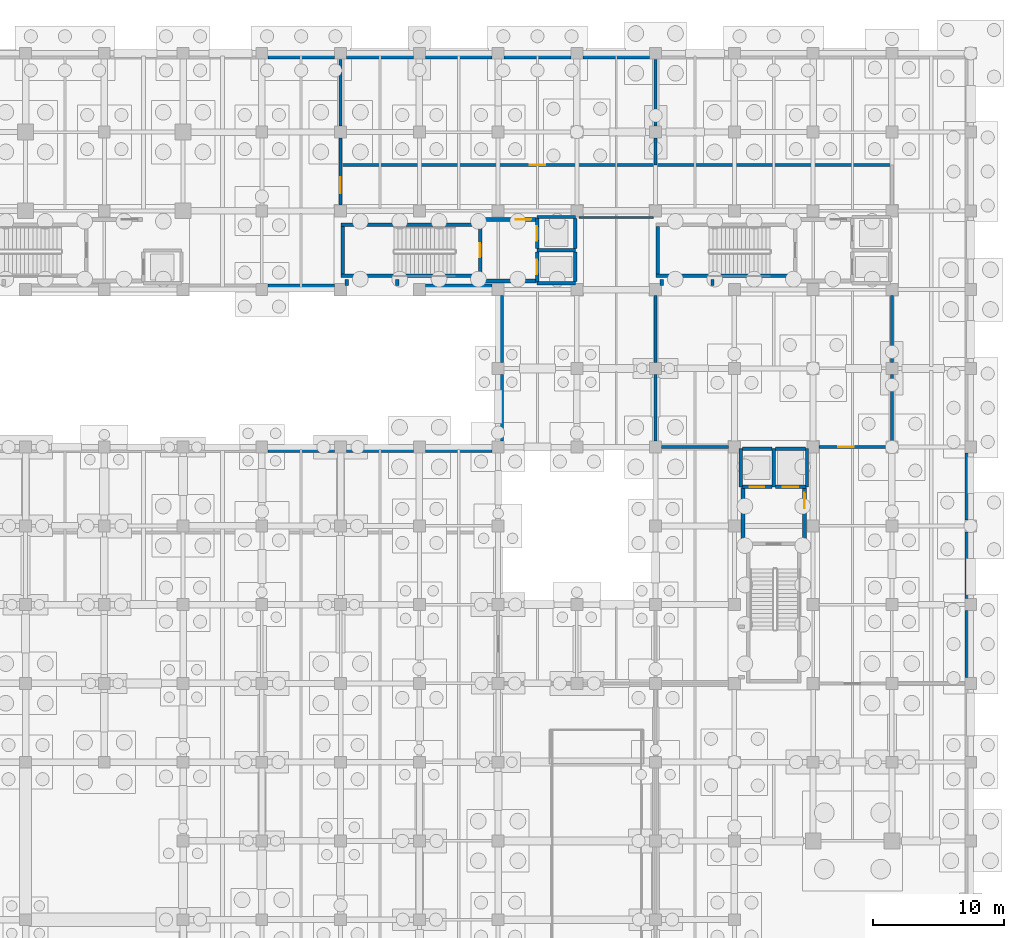
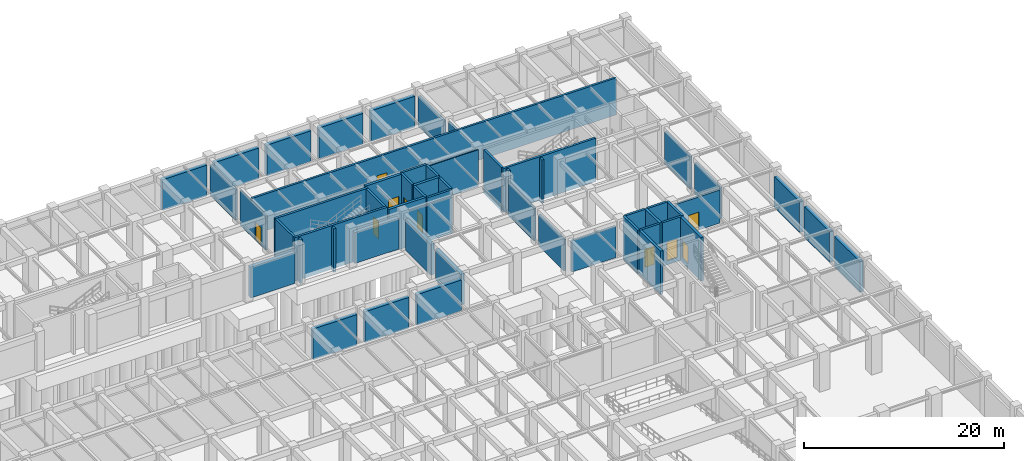
# One storey, part 44 of 54: 55 walls, 10 doors, 10 openings.
"""IFC4 building model written with IfcOpenShell, lengths in metres."""

from ifc_helpers import new_model, si_unit, direction, frame, frame_2d, origin, place, context, subcontext, project, spatial, rectangle, extrude, material, layer, layer_set, type_object, element, fill, save


model = new_model("IFC4")

# Units and contexts
model_context = context("Model", 3, precision=1e-05, world=origin(), true_north=direction((0.0, 1.0)))
body_context = subcontext(model_context, "Body", "Model", "MODEL_VIEW")
ifc_project = project(units=[si_unit("LENGTHUNIT", "METRE"), si_unit("AREAUNIT", "SQUARE_METRE"), si_unit("VOLUMEUNIT", "CUBIC_METRE"), si_unit("PLANEANGLEUNIT", "RADIAN"), si_unit("MASSUNIT", "GRAM", prefix="KILO"), si_unit("THERMODYNAMICTEMPERATUREUNIT", "KELVIN"), si_unit("POWERUNIT", "WATT")], contexts=[model_context])

# Site, building, storey
site_placement = place(None, origin())
site = spatial("IfcSite", under=ifc_project, at=site_placement, CompositionType="ELEMENT")
building_placement = place(site_placement, origin())
building = spatial("IfcBuilding", under=site, at=building_placement, Name="Phaisarnlok Congress Hotel", CompositionType="ELEMENT")
storey_placement = place(building_placement, frame((0.0, 0.0, -4.800048828125)))
storey = spatial("IfcBuildingStorey", under=building, at=storey_placement, Name="B01", CompositionType="ELEMENT", Elevation=-4.800048828125)

# Walls
ifc_material_1 = material(Name="Concrete C40/50", Category="concrete")
ifc_layer_1 = layer(ifc_material_1, 0.419921875, Name="Concrete C40/50")
ifc_layer_set_1 = layer_set([ifc_layer_1], Name="Concrete C40/50")
wall_type_1 = type_object("IfcWallType", Name="WL-EXT-420", PredefinedType="SOLIDWALL", material=ifc_layer_set_1)
for number, where, z_axis, x_axis, name in (
    (1, (179.7900390625, 78.455078125, 0.0), (0.0, 0.0, 1.0), (0.0, 1.0, 0.0), "Exterior wall EW-08 (B01)"),
    (2, (179.7900390625, 84.455078125, 0.0), (0.0, 0.0, 1.0), (0.0, 1.0, 0.0), "Exterior wall EW-08 (B01)"),
    (3, (179.7900390625, 90.455078125, 0.0), (0.0, 0.0, 1.0), (0.0, 1.0, 0.0), "Exterior wall EW-08 (B01)"),
    (4, (155.544921875, 125.7900390625, 0.0), (0.0, 0.0, 1.0), (-1.0, 0.0, 0.0), "Exterior wall EW-08 (B01)"),
    (5, (149.544921875, 125.7900390625, 0.0), (0.0, 0.0, 1.0), (-1.0, 0.0, 0.0), "Exterior wall EW-08 (B01)"),
    (6, (143.544921875, 125.7900390625, 0.0), (0.0, 0.0, 1.0), (-1.0, 0.0, 0.0), "Exterior wall EW-08 (B01)"),
    (7, (137.544921875, 125.7900390625, 0.0), (0.0, 0.0, 1.0), (-1.0, 0.0, 0.0), "Exterior wall EW-08 (B01)"),
    (8, (131.544921875, 125.7900390625, 0.0), (0.0, 0.0, 1.0), (-1.0, 0.0, 0.0), "Exterior wall EW-08 (B01)"),
    (9, (126.455078125, 108.2099609375, 0.0), (0.0, 0.0, 1.0), (1.0, 0.0, 0.0), "Exterior wall EW-08 (B01)"),
    (10, (138.455078125, 108.2099609375, 0.0), (0.0, 0.0, 1.0), (1.0, 0.0, 0.0), "Exterior wall EW-08 (B01)"),
    (11, (144.2099609375, 107.544921875, 0.0), (0.0, 0.0, 1.0), (0.0, -1.0, 0.0), "Exterior wall EW-08 (B01)"),
    (12, (144.2099609375, 101.544921875, 0.0), (0.0, 0.0, 1.0), (0.0, -1.0, 0.0), "Exterior wall EW-08 (B01)"),
    (13, (143.544921875, 95.7900390625, 0.0), (0.0, 0.0, 1.0), (-1.0, 0.0, 0.0), "Exterior wall EW-08 (B01)"),
    (14, (137.544921875, 95.7900390625, 0.0), (0.0, 0.0, 1.0), (-1.0, 0.0, 0.0), "Exterior wall EW-08 (B01)"),
    (15, (131.544921875, 95.7900390625, 0.0), (0.0, 0.0, 1.0), (-1.0, 0.0, 0.0), "Exterior wall EW-08 (B01)"),
):
    element("IfcWall", number, at=place(storey_placement, frame(where, z_axis=z_axis, x_axis=x_axis)), inside=storey, type_object=wall_type_1, Name=name, PredefinedType="SOLIDWALL", context=body_context, shape_type="SweptSolid", body=[
        extrude(rectangle(XDim=5.08984375, YDim=0.419921875, at=frame_2d((2.544921875, 0.0))), origin(), (0.0, 0.0, 1.0), 3.75),
    ])
ifc_material_2 = material(Name="Moisture-Resistant Gypsum Partition", Category="gypsum")
ifc_layer_2 = layer(ifc_material_2, 0.135009765625, Name="Moisture-Resistant Gypsum Partition")
ifc_layer_set_2 = layer_set([ifc_layer_2], Name="Moisture-Resistant Gypsum Partition")
wall_type_2 = type_object("IfcWallType", Name="WL-INT-135", PredefinedType="PARTITIONING", material=ifc_layer_set_2)
wall_1_placement = place(storey_placement, frame((150.179931640625, 113.5, 0.0), z_axis=(0.0, 0.0, 1.0), x_axis=(1.0, 0.0, 0.0)))
element("IfcWall", 16, at=wall_1_placement, inside=storey, type_object=wall_type_2, Name="Interior partition wall IW-06 (B01)", PredefinedType="PARTITIONING", context=body_context, shape_type="SweptSolid", body=[
    extrude(rectangle(XDim=5.64013671875, YDim=0.135009765625, at=frame_2d((2.820068359375, 0.0))), origin(), (0.0, 0.0, 1.0), 4.5),
])

# Wall, opening, door
ifc_layer_3 = layer(ifc_material_1, 0.239990234375, Name="Concrete C40/50")
ifc_layer_set_3 = layer_set([ifc_layer_3], Name="Concrete C40/50")
wall_type_3 = type_object("IfcWallType", Name="WL-INT-240", PredefinedType="PARTITIONING", material=ifc_layer_set_3)
wall_2_placement = place(storey_placement, frame((132.0, 114.455078125, 0.0), z_axis=(0.0, 0.0, 1.0), x_axis=(0.0, 1.0, 0.0)))
wall_2 = element("IfcWall", 17, at=wall_2_placement, inside=storey, type_object=wall_type_3, Name="Interior partition wall IW-01 (B01)", PredefinedType="PARTITIONING", context=body_context, shape_type="SweptSolid", body=[
    extrude(rectangle(XDim=5.08984375, YDim=0.239990234375, at=frame_2d((2.544921875, 0.0))), origin(), (0.0, 0.0, 1.0), 4.16015625),
])
opening_1_placement = place(wall_2_placement, frame((0.89501953125, 0.0, 0.0)))
opening_1 = element("IfcOpeningElement", 18, at=opening_1_placement, cuts=wall_2, Name="Opening D-0019", PredefinedType="OPENING", context=body_context, shape_type="SweptSolid", body=[
    extrude(rectangle(XDim=1.199951171875, YDim=2.199951171875, at=frame_2d((0.60009765625, 1.10009765625))), frame((0.0, 0.1298828125, 0.0), z_axis=(0.0, -1.0, 0.0), x_axis=(1.0, 0.0, 0.0)), (0.0, 0.0, 1.0), 0.260009765625),
])
ifc_material_3 = material(Name="Fire-Rated Steel Frame & Timber Leaf", Category="steel")
door_type_1 = type_object("IfcDoorType", Name="DR-FD60-1200", OperationType="NOTDEFINED", PredefinedType="DOOR", material=ifc_material_3)
door_1_placement = place(opening_1_placement, origin())
door_1 = element("IfcDoor", 19, at=door_1_placement, inside=storey, type_object=door_type_1, Name="Interior door D-0019 (B01)", OperationType="SINGLE_SWING_RIGHT", OverallHeight=2.199951171875, OverallWidth=1.199951171875, PredefinedType="DOOR", context=body_context, shape_type="SweptSolid", body=[
    extrude(rectangle(XDim=1.199951171875, YDim=2.199951171875, at=frame_2d((0.60009765625, 1.10009765625))), frame((0.0, 0.02490234375, 0.0), z_axis=(0.0, -1.0, 0.0), x_axis=(1.0, 0.0, 0.0)), (0.0, 0.0, 1.0), 0.050048828125),
])
fill(opening_1, door_1)

# Walls
wall_3_placement = place(storey_placement, frame((132.0, 120.455078125, 0.0), z_axis=(0.0, 0.0, 1.0), x_axis=(0.0, 1.0, 0.0)))
element("IfcWall", 20, at=wall_3_placement, inside=storey, type_object=wall_type_3, Name="Interior partition wall IW-01 (B01)", PredefinedType="PARTITIONING", context=body_context, shape_type="SweptSolid", body=[
    extrude(rectangle(XDim=5.08984375, YDim=0.239990234375, at=frame_2d((2.544921875, 0.0))), origin(), (0.0, 0.0, 1.0), 3.699951171875),
])
wall_4_placement = place(storey_placement, frame((156.0, 96.455078125, 0.0), z_axis=(0.0, 0.0, 1.0), x_axis=(0.0, 1.0, 0.0)))
element("IfcWall", 21, at=wall_4_placement, inside=storey, type_object=wall_type_3, Name="Interior partition wall IW-01 (B01)", PredefinedType="PARTITIONING", context=body_context, shape_type="SweptSolid", body=[
    extrude(rectangle(XDim=5.08984375, YDim=0.239990234375, at=frame_2d((2.544921875, 0.0))), origin(), (0.0, 0.0, 1.0), 3.800048828125),
])
wall_5_placement = place(storey_placement, frame((156.0, 102.455078125, 0.0), z_axis=(0.0, 0.0, 1.0), x_axis=(0.0, 1.0, 0.0)))
element("IfcWall", 22, at=wall_5_placement, inside=storey, type_object=wall_type_3, Name="Interior partition wall IW-01 (B01)", PredefinedType="PARTITIONING", context=body_context, shape_type="SweptSolid", body=[
    extrude(rectangle(XDim=5.08984375, YDim=0.239990234375, at=frame_2d((2.544921875, 0.0))), origin(), (0.0, 0.0, 1.0), 3.949951171875),
])
wall_6_placement = place(storey_placement, frame((156.0, 117.5, 0.0), z_axis=(0.0, 0.0, 1.0), x_axis=(0.0, 1.0, 0.0)))
element("IfcWall", 23, at=wall_6_placement, inside=storey, type_object=wall_type_3, Name="Interior partition wall IW-01 (B01)", PredefinedType="PARTITIONING", context=body_context, shape_type="SweptSolid", body=[
    extrude(rectangle(XDim=2.044921875, YDim=0.239990234375, at=frame_2d((1.0224609375, 0.0))), origin(), (0.0, 0.0, 1.0), 4.16015625),
])
wall_7_placement = place(storey_placement, frame((156.0, 120.455078125, 0.0), z_axis=(0.0, 0.0, 1.0), x_axis=(0.0, 1.0, 0.0)))
element("IfcWall", 24, at=wall_7_placement, inside=storey, type_object=wall_type_3, Name="Interior partition wall IW-01 (B01)", PredefinedType="PARTITIONING", context=body_context, shape_type="SweptSolid", body=[
    extrude(rectangle(XDim=5.08984375, YDim=0.239990234375, at=frame_2d((2.544921875, 0.0))), origin(), (0.0, 0.0, 1.0), 3.699951171875),
])
wall_8_placement = place(storey_placement, frame((174.0, 96.455078125, 0.0), z_axis=(0.0, 0.0, 1.0), x_axis=(0.0, 1.0, 0.0)))
element("IfcWall", 25, at=wall_8_placement, inside=storey, type_object=wall_type_3, Name="Interior partition wall IW-01 (B01)", PredefinedType="PARTITIONING", context=body_context, shape_type="SweptSolid", body=[
    extrude(rectangle(XDim=5.08984375, YDim=0.239990234375, at=frame_2d((2.544921875, 0.0))), origin(), (0.0, 0.0, 1.0), 3.800048828125),
])
wall_9_placement = place(storey_placement, frame((174.0, 102.455078125, 0.0), z_axis=(0.0, 0.0, 1.0), x_axis=(0.0, 1.0, 0.0)))
element("IfcWall", 26, at=wall_9_placement, inside=storey, type_object=wall_type_3, Name="Interior partition wall IW-01 (B01)", PredefinedType="PARTITIONING", context=body_context, shape_type="SweptSolid", body=[
    extrude(rectangle(XDim=5.08984375, YDim=0.239990234375, at=frame_2d((2.544921875, 0.0))), origin(), (0.0, 0.0, 1.0), 3.949951171875),
])
wall_10_placement = place(storey_placement, frame((156.455078125, 96.0, 0.0), z_axis=(0.0, 0.0, 1.0), x_axis=(1.0, 0.0, 0.0)))
element("IfcWall", 27, at=wall_10_placement, inside=storey, type_object=wall_type_3, Name="Interior partition wall IW-01 (B01)", PredefinedType="PARTITIONING", context=body_context, shape_type="SweptSolid", body=[
    extrude(rectangle(XDim=5.08984375, YDim=0.239990234375, at=frame_2d((2.544921875, 0.0))), origin(), (0.0, 0.0, 1.0), 3.800048828125),
])

# Wall, opening, door
wall_11_placement = place(storey_placement, frame((168.455078125, 96.0, 0.0), z_axis=(0.0, 0.0, 1.0), x_axis=(1.0, 0.0, 0.0)))
wall_11 = element("IfcWall", 28, at=wall_11_placement, inside=storey, type_object=wall_type_3, Name="Interior partition wall IW-01 (B01)", PredefinedType="PARTITIONING", context=body_context, shape_type="SweptSolid", body=[
    extrude(rectangle(XDim=5.08984375, YDim=0.239990234375, at=frame_2d((2.544921875, 0.0))), origin(), (0.0, 0.0, 1.0), 4.050048828125),
])
opening_2_placement = place(wall_11_placement, frame((1.445068359375, 0.0, 0.0)))
opening_2 = element("IfcOpeningElement", 29, at=opening_2_placement, cuts=wall_11, Name="Opening D-0021", PredefinedType="OPENING", context=body_context, shape_type="SweptSolid", body=[
    extrude(rectangle(XDim=1.199951171875, YDim=2.199951171875, at=frame_2d((0.60009765625, 1.10009765625))), frame((0.0, 0.1298828125, 0.0), z_axis=(0.0, -1.0, 0.0), x_axis=(1.0, 0.0, 0.0)), (0.0, 0.0, 1.0), 0.260009765625),
])
door_2_placement = place(opening_2_placement, origin())
door_2 = element("IfcDoor", 30, at=door_2_placement, inside=storey, type_object=door_type_1, Name="Interior door D-0021 (B01)", OperationType="SINGLE_SWING_RIGHT", OverallHeight=2.199951171875, OverallWidth=1.199951171875, PredefinedType="DOOR", context=body_context, shape_type="SweptSolid", body=[
    extrude(rectangle(XDim=1.199951171875, YDim=2.199951171875, at=frame_2d((0.60009765625, 1.10009765625))), frame((0.0, 0.02490234375, 0.0), z_axis=(0.0, -1.0, 0.0), x_axis=(1.0, 0.0, 0.0)), (0.0, 0.0, 1.0), 0.050048828125),
])
fill(opening_2, door_2)

wall_12_placement = place(storey_placement, frame((132.0, 117.5, 0.0), z_axis=(0.0, 0.0, 1.0), x_axis=(1.0, 0.0, 0.0)))
wall_12 = element("IfcWall", 31, at=wall_12_placement, inside=storey, type_object=wall_type_3, Name="Interior partition wall IW-01 (B01)", PredefinedType="PARTITIONING", context=body_context, shape_type="SweptSolid", body=[
    extrude(rectangle(XDim=42.0, YDim=0.239990234375, at=frame_2d((21.0, 0.0))), origin(), (0.0, 0.0, 1.0), 4.5),
])
opening_3_placement = place(wall_12_placement, frame((14.39990234375, 0.0, 0.0)))
opening_3 = element("IfcOpeningElement", 32, at=opening_3_placement, cuts=wall_12, Name="Opening D-0020", PredefinedType="OPENING", context=body_context, shape_type="SweptSolid", body=[
    extrude(rectangle(XDim=1.199951171875, YDim=2.199951171875, at=frame_2d((0.60009765625, 1.10009765625))), frame((0.0, 0.1298828125, 0.0), z_axis=(0.0, -1.0, 0.0), x_axis=(1.0, 0.0, 0.0)), (0.0, 0.0, 1.0), 0.260009765625),
])
door_3_placement = place(opening_3_placement, origin())
door_3 = element("IfcDoor", 33, at=door_3_placement, inside=storey, type_object=door_type_1, Name="Interior door D-0020 (B01)", OperationType="SINGLE_SWING_LEFT", OverallHeight=2.199951171875, OverallWidth=1.199951171875, PredefinedType="DOOR", context=body_context, shape_type="SweptSolid", body=[
    extrude(rectangle(XDim=1.199951171875, YDim=2.199951171875, at=frame_2d((0.60009765625, 1.10009765625))), frame((0.0, 0.02490234375, 0.0), z_axis=(0.0, -1.0, 0.0), x_axis=(1.0, 0.0, 0.0)), (0.0, 0.0, 1.0), 0.050048828125),
])
fill(opening_3, door_3)

# Walls
ifc_material_4 = material(Name="Concrete C50/60", Category="concrete")
ifc_layer_4 = layer(ifc_material_4, 0.260009765625, Name="Concrete C50/60")
ifc_layer_set_4 = layer_set([ifc_layer_4], Name="Concrete C50/60")
wall_type_4 = type_object("IfcWallType", Name="WL-SHR-260", PredefinedType="SHEAR", material=ifc_layer_set_4)
wall_13_placement = place(storey_placement, frame((156.0400390625, 109.070068359375, -0.5), z_axis=(0.0, 0.0, 1.0), x_axis=(1.0, 0.0, 0.0)))
element("IfcWall", 34, at=wall_13_placement, inside=storey, type_object=wall_type_4, Name="Stair shaft shear wall SW-04 (CORE-1 B01)", PredefinedType="SHEAR", context=body_context, shape_type="SweptSolid", body=[
    extrude(rectangle(XDim=10.719970703125, YDim=0.260009765625, at=frame_2d((5.35986328125, 0.0))), origin(), (0.0, 0.0, 1.0), 5.300048828125),
])
wall_14_placement = place(storey_placement, frame((156.169921875, 109.199951171875, -0.5), z_axis=(0.0, 0.0, 1.0), x_axis=(0.0, 1.0, 0.0)))
element("IfcWall", 35, at=wall_14_placement, inside=storey, type_object=wall_type_4, Name="Stair shaft shear wall SW-04 (CORE-1 B01)", PredefinedType="SHEAR", context=body_context, shape_type="SweptSolid", body=[
    extrude(rectangle(XDim=3.60009765625, YDim=0.260009765625, at=frame_2d((1.800048828125, 0.0))), origin(), (0.0, 0.0, 1.0), 5.300048828125),
])
for number, where, z_axis, x_axis, name in (
    (36, (156.469970703125, 108.330078125, -0.5), (0.0, 0.0, 1.0), (0.0, 1.0, 0.0), "Service riser shaft wall SW-04 (CORE-1 B01)"),
    (37, (160.330078125, 108.330078125, -0.5), (0.0, 0.0, 1.0), (0.0, 1.0, 0.0), "Service riser shaft wall SW-04 (CORE-1 B01)"),
):
    element("IfcWall", number, at=place(storey_placement, frame(where, z_axis=z_axis, x_axis=x_axis)), inside=storey, type_object=wall_type_4, Name=name, PredefinedType="SHEAR", context=body_context, shape_type="SweptSolid", body=[
        extrude(rectangle(XDim=0.43994140625, YDim=0.260009765625, at=frame_2d((0.219970703125, 0.0))), origin(), (0.0, 0.0, 1.0), 5.300048828125),
    ])
for number, where, z_axis, x_axis, name in (
    (38, (132.0400390625, 109.070068359375, -0.5), (0.0, 0.0, 1.0), (1.0, 0.0, 0.0), "Stair shaft shear wall SW-04 (CORE-2 B01)"),
    (39, (132.0400390625, 112.929931640625, -0.5), (0.0, 0.0, 1.0), (1.0, 0.0, 0.0), "Stair shaft shear wall SW-04 (CORE-2 B01)"),
):
    element("IfcWall", number, at=place(storey_placement, frame(where, z_axis=z_axis, x_axis=x_axis)), inside=storey, type_object=wall_type_4, Name=name, PredefinedType="SHEAR", context=body_context, shape_type="SweptSolid", body=[
        extrude(rectangle(XDim=10.719970703125, YDim=0.260009765625, at=frame_2d((5.35986328125, 0.0))), origin(), (0.0, 0.0, 1.0), 5.300048828125),
    ])
wall_15_placement = place(storey_placement, frame((132.169921875, 109.199951171875, -0.5), z_axis=(0.0, 0.0, 1.0), x_axis=(0.0, 1.0, 0.0)))
element("IfcWall", 40, at=wall_15_placement, inside=storey, type_object=wall_type_4, Name="Stair shaft shear wall SW-04 (CORE-2 B01)", PredefinedType="SHEAR", context=body_context, shape_type="SweptSolid", body=[
    extrude(rectangle(XDim=3.60009765625, YDim=0.260009765625, at=frame_2d((1.800048828125, 0.0))), origin(), (0.0, 0.0, 1.0), 5.300048828125),
])

# Wall, opening, door
wall_16_placement = place(storey_placement, frame((142.6298828125, 109.199951171875, -0.5), z_axis=(0.0, 0.0, 1.0), x_axis=(0.0, 1.0, 0.0)))
wall_16 = element("IfcWall", 41, at=wall_16_placement, inside=storey, type_object=wall_type_4, Name="Stair shaft shear wall SW-04 (CORE-2 B01)", PredefinedType="SHEAR", context=body_context, shape_type="SweptSolid", body=[
    extrude(rectangle(XDim=3.60009765625, YDim=0.260009765625, at=frame_2d((1.800048828125, 0.0))), origin(), (0.0, 0.0, 1.0), 5.300048828125),
])
opening_4_placement = place(wall_16_placement, frame((1.25, 0.0, 0.5)))
opening_4 = element("IfcOpeningElement", 42, at=opening_4_placement, cuts=wall_16, Name="Opening FD-031", PredefinedType="OPENING", context=body_context, shape_type="SweptSolid", body=[
    extrude(rectangle(XDim=1.10009765625, YDim=2.14990234375, at=frame_2d((0.550048828125, 1.074951171875))), frame((0.0, 0.14013671875, 0.0), z_axis=(0.0, -1.0, 0.0), x_axis=(1.0, 0.0, 0.0)), (0.0, 0.0, 1.0), 0.280029296875),
])
door_type_2 = type_object("IfcDoorType", Name="DR-FD60-1100", OperationType="NOTDEFINED", PredefinedType="DOOR", material=ifc_material_3)
door_4_placement = place(opening_4_placement, origin())
door_4 = element("IfcDoor", 43, at=door_4_placement, inside=storey, type_object=door_type_2, Name="Stair enclosure fire door FD-031 (B01)", OperationType="SINGLE_SWING_RIGHT", OverallHeight=2.14990234375, OverallWidth=1.10009765625, PredefinedType="DOOR", context=body_context, shape_type="SweptSolid", body=[
    extrude(rectangle(XDim=1.10009765625, YDim=2.14990234375, at=frame_2d((0.550048828125, 1.074951171875))), frame((0.0, 0.02490234375, 0.0), z_axis=(0.0, -1.0, 0.0), x_axis=(1.0, 0.0, 0.0)), (0.0, 0.0, 1.0), 0.050048828125),
])
fill(opening_4, door_4)

# Walls
wall_17_placement = place(storey_placement, frame((146.969970703125, 108.469970703125, -0.5), z_axis=(0.0, 0.0, 1.0), x_axis=(1.0, 0.0, 0.0)))
element("IfcWall", 44, at=wall_17_placement, inside=storey, type_object=wall_type_4, Name="Lift shaft shear wall SW-04 (LF-FF2 B01)", PredefinedType="SHEAR", context=body_context, shape_type="SweptSolid", body=[
    extrude(rectangle(XDim=2.909912109375, YDim=0.260009765625, at=frame_2d((1.455078125, 0.0))), origin(), (0.0, 0.0, 1.0), 5.300048828125),
])
wall_18_placement = place(storey_placement, frame((149.8798828125, 108.60009765625, -0.5), z_axis=(0.0, 0.0, 1.0), x_axis=(0.0, 1.0, 0.0)))
element("IfcWall", 45, at=wall_18_placement, inside=storey, type_object=wall_type_4, Name="Lift shaft shear wall SW-04 (LF-FF2 B01)", PredefinedType="SHEAR", context=body_context, shape_type="SweptSolid", body=[
    extrude(rectangle(XDim=2.25, YDim=0.260009765625, at=frame_2d((1.125, 0.0))), origin(), (0.0, 0.0, 1.0), 5.300048828125),
])

# Wall, opening, door
wall_19_placement = place(storey_placement, frame((146.969970703125, 108.60009765625, -0.5), z_axis=(0.0, 0.0, 1.0), x_axis=(0.0, 1.0, 0.0)))
wall_19 = element("IfcWall", 46, at=wall_19_placement, inside=storey, type_object=wall_type_4, Name="Lift shaft front wall SW-04 (LF-FF2 B01)", PredefinedType="SHEAR", context=body_context, shape_type="SweptSolid", body=[
    extrude(rectangle(XDim=2.25, YDim=0.260009765625, at=frame_2d((1.125, 0.0))), origin(), (0.0, 0.0, 1.0), 5.300048828125),
])
opening_5_placement = place(wall_19_placement, frame((0.574951171875, 0.0, 0.5)))
opening_5 = element("IfcOpeningElement", 47, at=opening_5_placement, cuts=wall_19, Name="Opening LD-031", PredefinedType="OPENING", context=body_context, shape_type="SweptSolid", body=[
    extrude(rectangle(XDim=1.10009765625, YDim=2.199951171875, at=frame_2d((0.550048828125, 1.10009765625))), frame((0.0, 0.14013671875, 0.0), z_axis=(0.0, -1.0, 0.0), x_axis=(1.0, 0.0, 0.0)), (0.0, 0.0, 1.0), 0.280029296875),
])
ifc_material_5 = material(Name="Brushed Stainless Steel Grade 304", Category="steel")
door_type_3 = type_object("IfcDoorType", Name="DR-LD-1100", OperationType="DOUBLE_DOOR_SLIDING", PredefinedType="DOOR", material=ifc_material_5)
door_5_placement = place(opening_5_placement, origin())
door_5 = element("IfcDoor", 48, at=door_5_placement, inside=storey, type_object=door_type_3, Name="Lift landing sliding door LD-031 (LF-FF2 B01)", OperationType="DOUBLE_DOOR_SLIDING", OverallHeight=2.199951171875, OverallWidth=1.10009765625, PredefinedType="DOOR", context=body_context, shape_type="SweptSolid", body=[
    extrude(rectangle(XDim=1.10009765625, YDim=2.199951171875, at=frame_2d((0.550048828125, 1.10009765625))), frame((0.0, 0.02490234375, 0.0), z_axis=(0.0, -1.0, 0.0), x_axis=(1.0, 0.0, 0.0)), (0.0, 0.0, 1.0), 0.050048828125),
])
fill(opening_5, door_5)

# Walls
wall_20_placement = place(storey_placement, frame((146.969970703125, 113.530029296875, -0.5), z_axis=(0.0, 0.0, 1.0), x_axis=(1.0, 0.0, 0.0)))
element("IfcWall", 49, at=wall_20_placement, inside=storey, type_object=wall_type_4, Name="Lift shaft shear wall SW-04 (LF-HP2 B01)", PredefinedType="SHEAR", context=body_context, shape_type="SweptSolid", body=[
    extrude(rectangle(XDim=2.909912109375, YDim=0.260009765625, at=frame_2d((1.455078125, 0.0))), origin(), (0.0, 0.0, 1.0), 5.300048828125),
])
wall_21_placement = place(storey_placement, frame((149.8798828125, 111.14990234375, -0.5), z_axis=(0.0, 0.0, 1.0), x_axis=(0.0, 1.0, 0.0)))
element("IfcWall", 50, at=wall_21_placement, inside=storey, type_object=wall_type_4, Name="Lift shaft shear wall SW-04 (LF-HP2 B01)", PredefinedType="SHEAR", context=body_context, shape_type="SweptSolid", body=[
    extrude(rectangle(XDim=2.25, YDim=0.260009765625, at=frame_2d((1.125, 0.0))), origin(), (0.0, 0.0, 1.0), 5.300048828125),
])

# Wall, opening, door
wall_22_placement = place(storey_placement, frame((146.969970703125, 111.14990234375, -0.5), z_axis=(0.0, 0.0, 1.0), x_axis=(0.0, 1.0, 0.0)))
wall_22 = element("IfcWall", 51, at=wall_22_placement, inside=storey, type_object=wall_type_4, Name="Lift shaft front wall SW-04 (LF-HP2 B01)", PredefinedType="SHEAR", context=body_context, shape_type="SweptSolid", body=[
    extrude(rectangle(XDim=2.25, YDim=0.260009765625, at=frame_2d((1.125, 0.0))), origin(), (0.0, 0.0, 1.0), 5.300048828125),
])
opening_6_placement = place(wall_22_placement, frame((0.574951171875, 0.0, 0.5)))
opening_6 = element("IfcOpeningElement", 52, at=opening_6_placement, cuts=wall_22, Name="Opening LD-046", PredefinedType="OPENING", context=body_context, shape_type="SweptSolid", body=[
    extrude(rectangle(XDim=1.10009765625, YDim=2.199951171875, at=frame_2d((0.550048828125, 1.10009765625))), frame((0.0, 0.14013671875, 0.0), z_axis=(0.0, -1.0, 0.0), x_axis=(1.0, 0.0, 0.0)), (0.0, 0.0, 1.0), 0.280029296875),
])
door_6_placement = place(opening_6_placement, origin())
door_6 = element("IfcDoor", 53, at=door_6_placement, inside=storey, type_object=door_type_3, Name="Lift landing sliding door LD-046 (LF-HP2 B01)", OperationType="DOUBLE_DOOR_SLIDING", OverallHeight=2.199951171875, OverallWidth=1.10009765625, PredefinedType="DOOR", context=body_context, shape_type="SweptSolid", body=[
    extrude(rectangle(XDim=1.10009765625, YDim=2.199951171875, at=frame_2d((0.550048828125, 1.10009765625))), frame((0.0, 0.02490234375, 0.0), z_axis=(0.0, -1.0, 0.0), x_axis=(1.0, 0.0, 0.0)), (0.0, 0.0, 1.0), 0.050048828125),
])
fill(opening_6, door_6)

# Walls
wall_23_placement = place(storey_placement, frame((132.469970703125, 108.330078125, -0.5), z_axis=(0.0, 0.0, 1.0), x_axis=(0.0, 1.0, 0.0)))
element("IfcWall", 54, at=wall_23_placement, inside=storey, type_object=wall_type_4, Name="Service riser shaft wall SW-04 (CORE-2 B01)", PredefinedType="SHEAR", context=body_context, shape_type="SweptSolid", body=[
    extrude(rectangle(XDim=0.43994140625, YDim=0.260009765625, at=frame_2d((0.219970703125, 0.0))), origin(), (0.0, 0.0, 1.0), 5.300048828125),
])
wall_24_placement = place(storey_placement, frame((162.469970703125, 92.969970703125, -0.5), z_axis=(0.0, 0.0, 1.0), x_axis=(0.0, 1.0, 0.0)))
element("IfcWall", 55, at=wall_24_placement, inside=storey, type_object=wall_type_4, Name="Lift shaft shear wall SW-04 (LF-HP3 B01)", PredefinedType="SHEAR", context=body_context, shape_type="SweptSolid", body=[
    extrude(rectangle(XDim=2.909912109375, YDim=0.260009765625, at=frame_2d((1.455078125, 0.0))), origin(), (0.0, 0.0, 1.0), 5.300048828125),
])
wall_25_placement = place(storey_placement, frame((162.60009765625, 95.8798828125, -0.5), z_axis=(0.0, 0.0, 1.0), x_axis=(1.0, 0.0, 0.0)))
element("IfcWall", 56, at=wall_25_placement, inside=storey, type_object=wall_type_4, Name="Lift shaft shear wall SW-04 (LF-HP3 B01)", PredefinedType="SHEAR", context=body_context, shape_type="SweptSolid", body=[
    extrude(rectangle(XDim=2.25, YDim=0.260009765625, at=frame_2d((1.125, 0.0))), origin(), (0.0, 0.0, 1.0), 5.300048828125),
])

# Wall, opening, door
wall_26_placement = place(storey_placement, frame((162.60009765625, 92.969970703125, -0.5), z_axis=(0.0, 0.0, 1.0), x_axis=(1.0, 0.0, 0.0)))
wall_26 = element("IfcWall", 57, at=wall_26_placement, inside=storey, type_object=wall_type_4, Name="Lift shaft front wall SW-04 (LF-HP3 B01)", PredefinedType="SHEAR", context=body_context, shape_type="SweptSolid", body=[
    extrude(rectangle(XDim=2.25, YDim=0.260009765625, at=frame_2d((1.125, 0.0))), origin(), (0.0, 0.0, 1.0), 5.300048828125),
])
opening_7_placement = place(wall_26_placement, frame((0.574951171875, 0.0, 0.5)))
opening_7 = element("IfcOpeningElement", 58, at=opening_7_placement, cuts=wall_26, Name="Opening LD-061", PredefinedType="OPENING", context=body_context, shape_type="SweptSolid", body=[
    extrude(rectangle(XDim=1.10009765625, YDim=2.199951171875, at=frame_2d((0.550048828125, 1.10009765625))), frame((0.0, 0.14013671875, 0.0), z_axis=(0.0, -1.0, 0.0), x_axis=(1.0, 0.0, 0.0)), (0.0, 0.0, 1.0), 0.280029296875),
])
door_7_placement = place(opening_7_placement, origin())
door_7 = element("IfcDoor", 59, at=door_7_placement, inside=storey, type_object=door_type_3, Name="Lift landing sliding door LD-061 (LF-HP3 B01)", OperationType="DOUBLE_DOOR_SLIDING", OverallHeight=2.199951171875, OverallWidth=1.10009765625, PredefinedType="DOOR", context=body_context, shape_type="SweptSolid", body=[
    extrude(rectangle(XDim=1.10009765625, YDim=2.199951171875, at=frame_2d((0.550048828125, 1.10009765625))), frame((0.0, 0.02490234375, 0.0), z_axis=(0.0, -1.0, 0.0), x_axis=(1.0, 0.0, 0.0)), (0.0, 0.0, 1.0), 0.050048828125),
])
fill(opening_7, door_7)

# Walls
wall_27_placement = place(storey_placement, frame((167.530029296875, 92.969970703125, -0.5), z_axis=(0.0, 0.0, 1.0), x_axis=(0.0, 1.0, 0.0)))
element("IfcWall", 60, at=wall_27_placement, inside=storey, type_object=wall_type_4, Name="Lift shaft shear wall SW-04 (LF-SV1 B01)", PredefinedType="SHEAR", context=body_context, shape_type="SweptSolid", body=[
    extrude(rectangle(XDim=2.909912109375, YDim=0.260009765625, at=frame_2d((1.455078125, 0.0))), origin(), (0.0, 0.0, 1.0), 5.300048828125),
])
wall_28_placement = place(storey_placement, frame((165.14990234375, 95.8798828125, -0.5), z_axis=(0.0, 0.0, 1.0), x_axis=(1.0, 0.0, 0.0)))
element("IfcWall", 61, at=wall_28_placement, inside=storey, type_object=wall_type_4, Name="Lift shaft shear wall SW-04 (LF-SV1 B01)", PredefinedType="SHEAR", context=body_context, shape_type="SweptSolid", body=[
    extrude(rectangle(XDim=2.25, YDim=0.260009765625, at=frame_2d((1.125, 0.0))), origin(), (0.0, 0.0, 1.0), 5.300048828125),
])

# Wall, opening, door
wall_29_placement = place(storey_placement, frame((165.14990234375, 92.969970703125, -0.5), z_axis=(0.0, 0.0, 1.0), x_axis=(1.0, 0.0, 0.0)))
wall_29 = element("IfcWall", 62, at=wall_29_placement, inside=storey, type_object=wall_type_4, Name="Lift shaft front wall SW-04 (LF-SV1 B01)", PredefinedType="SHEAR", context=body_context, shape_type="SweptSolid", body=[
    extrude(rectangle(XDim=2.25, YDim=0.260009765625, at=frame_2d((1.125, 0.0))), origin(), (0.0, 0.0, 1.0), 5.300048828125),
])
opening_8_placement = place(wall_29_placement, frame((0.52490234375, 0.0, 0.5)))
opening_8 = element("IfcOpeningElement", 63, at=opening_8_placement, cuts=wall_29, Name="Opening LD-076", PredefinedType="OPENING", context=body_context, shape_type="SweptSolid", body=[
    extrude(rectangle(XDim=1.199951171875, YDim=2.25, at=frame_2d((0.60009765625, 1.125))), frame((0.0, 0.14013671875, 0.0), z_axis=(0.0, -1.0, 0.0), x_axis=(1.0, 0.0, 0.0)), (0.0, 0.0, 1.0), 0.280029296875),
])
door_type_4 = type_object("IfcDoorType", Name="DR-LD-1200", OperationType="DOUBLE_DOOR_SLIDING", PredefinedType="DOOR", material=ifc_material_5)
door_8_placement = place(opening_8_placement, origin())
door_8 = element("IfcDoor", 64, at=door_8_placement, inside=storey, type_object=door_type_4, Name="Lift landing sliding door LD-076 (LF-SV1 B01)", OperationType="DOUBLE_DOOR_SLIDING", OverallHeight=2.25, OverallWidth=1.199951171875, PredefinedType="DOOR", context=body_context, shape_type="SweptSolid", body=[
    extrude(rectangle(XDim=1.199951171875, YDim=2.25, at=frame_2d((0.60009765625, 1.125))), frame((0.0, 0.02490234375, 0.0), z_axis=(0.0, -1.0, 0.0), x_axis=(1.0, 0.0, 0.0)), (0.0, 0.0, 1.0), 0.050048828125),
])
fill(opening_8, door_8)

# Walls
ifc_layer_5 = layer(ifc_material_4, 0.260009765625, Name="Concrete C50/60")
ifc_layer_set_5 = layer_set([ifc_layer_5], Name="Concrete C50/60")
wall_type_5 = type_object("IfcWallType", Name="WL-SHR-260-EXT", PredefinedType="SHEAR", material=ifc_layer_set_5)
wall_30_placement = place(storey_placement, frame((136.330078125, 108.330078125, -0.5), z_axis=(0.0, 0.0, 1.0), x_axis=(0.0, 1.0, 0.0)))
element("IfcWall", 65, at=wall_30_placement, inside=storey, type_object=wall_type_5, Name="Service riser shaft wall SW-04E (CORE-2 B01)", PredefinedType="SHEAR", context=body_context, shape_type="SweptSolid", body=[
    extrude(rectangle(XDim=0.43994140625, YDim=0.260009765625, at=frame_2d((0.219970703125, 0.0))), origin(), (0.0, 0.0, 1.0), 5.300048828125),
])
ifc_layer_6 = layer(ifc_material_4, 0.300048828125, Name="Concrete C50/60")
ifc_layer_set_6 = layer_set([ifc_layer_6], Name="Concrete C50/60")
wall_type_6 = type_object("IfcWallType", Name="WL-SHR-300", PredefinedType="SHEAR", material=ifc_layer_set_6)
wall_31_placement = place(storey_placement, frame((146.969970703125, 111.0, -0.5), z_axis=(0.0, 0.0, 1.0), x_axis=(1.0, 0.0, 0.0)))
element("IfcWall", 66, at=wall_31_placement, inside=storey, type_object=wall_type_6, Name="Lift shaft divider shear wall SW-03 (LF-FF2 B01)", PredefinedType="SHEAR", context=body_context, shape_type="SweptSolid", body=[
    extrude(rectangle(XDim=2.909912109375, YDim=0.300048828125, at=frame_2d((1.455078125, 0.0))), origin(), (0.0, 0.0, 1.0), 5.300048828125),
])

# Wall, opening, door
wall_32_placement = place(storey_placement, frame((142.679931640625, 113.35009765625, -0.5), z_axis=(0.0, 0.0, 1.0), x_axis=(1.0, 0.0, 0.0)))
wall_32 = element("IfcWall", 67, at=wall_32_placement, inside=storey, type_object=wall_type_6, Name="Core lobby EI-120 wall SW-03 (CORE-2 B01)", PredefinedType="SHEAR", context=body_context, shape_type="SweptSolid", body=[
    extrude(rectangle(XDim=4.239990234375, YDim=0.300048828125, at=frame_2d((2.1201171875, 0.0))), origin(), (0.0, 0.0, 1.0), 5.300048828125),
])
opening_9_placement = place(wall_32_placement, frame((2.64990234375, 0.0, 0.5)))
opening_9 = element("IfcOpeningElement", 68, at=opening_9_placement, cuts=wall_32, Name="Opening FD-046", PredefinedType="OPENING", context=body_context, shape_type="SweptSolid", body=[
    extrude(rectangle(XDim=1.199951171875, YDim=2.199951171875, at=frame_2d((0.60009765625, 1.10009765625))), frame((0.0, 0.16015625, 0.0), z_axis=(0.0, -1.0, 0.0), x_axis=(1.0, 0.0, 0.0)), (0.0, 0.0, 1.0), 0.320068359375),
])
door_9_placement = place(opening_9_placement, origin())
door_9 = element("IfcDoor", 69, at=door_9_placement, inside=storey, type_object=door_type_1, Name="Firefighting lobby entrance door FD-046 (CORE-2 B01)", OperationType="SINGLE_SWING_LEFT", OverallHeight=2.199951171875, OverallWidth=1.199951171875, PredefinedType="DOOR", context=body_context, shape_type="SweptSolid", body=[
    extrude(rectangle(XDim=1.199951171875, YDim=2.199951171875, at=frame_2d((0.60009765625, 1.10009765625))), frame((0.0, 0.02490234375, 0.0), z_axis=(0.0, -1.0, 0.0), x_axis=(1.0, 0.0, 0.0)), (0.0, 0.0, 1.0), 0.050048828125),
])
fill(opening_9, door_9)

# Walls
wall_33_placement = place(storey_placement, frame((142.679931640625, 108.64990234375, -0.5), z_axis=(0.0, 0.0, 1.0), x_axis=(1.0, 0.0, 0.0)))
element("IfcWall", 70, at=wall_33_placement, inside=storey, type_object=wall_type_6, Name="Core lobby EI-120 wall SW-03 (CORE-2 B01)", PredefinedType="SHEAR", context=body_context, shape_type="SweptSolid", body=[
    extrude(rectangle(XDim=4.239990234375, YDim=0.300048828125, at=frame_2d((2.1201171875, 0.0))), origin(), (0.0, 0.0, 1.0), 5.300048828125),
])
wall_34_placement = place(storey_placement, frame((165.0, 92.969970703125, -0.5), z_axis=(0.0, 0.0, 1.0), x_axis=(0.0, 1.0, 0.0)))
element("IfcWall", 71, at=wall_34_placement, inside=storey, type_object=wall_type_6, Name="Lift shaft divider shear wall SW-03 (LF-HP3 B01)", PredefinedType="SHEAR", context=body_context, shape_type="SweptSolid", body=[
    extrude(rectangle(XDim=2.909912109375, YDim=0.300048828125, at=frame_2d((1.455078125, 0.0))), origin(), (0.0, 0.0, 1.0), 5.300048828125),
])

# Wall, opening, door
wall_35_placement = place(storey_placement, frame((167.35009765625, 88.679931640625, -0.5), z_axis=(0.0, 0.0, 1.0), x_axis=(0.0, 1.0, 0.0)))
wall_35 = element("IfcWall", 72, at=wall_35_placement, inside=storey, type_object=wall_type_6, Name="Core lobby EI-120 wall SW-03 (CORE-3 B01)", PredefinedType="SHEAR", context=body_context, shape_type="SweptSolid", body=[
    extrude(rectangle(XDim=4.239990234375, YDim=0.300048828125, at=frame_2d((2.1201171875, 0.0))), origin(), (0.0, 0.0, 1.0), 5.300048828125),
])
opening_10_placement = place(wall_35_placement, frame((2.64990234375, 0.0, 0.5)))
opening_10 = element("IfcOpeningElement", 73, at=opening_10_placement, cuts=wall_35, Name="Opening FD-076", PredefinedType="OPENING", context=body_context, shape_type="SweptSolid", body=[
    extrude(rectangle(XDim=1.199951171875, YDim=2.199951171875, at=frame_2d((0.60009765625, 1.10009765625))), frame((0.0, 0.16015625, 0.0), z_axis=(0.0, -1.0, 0.0), x_axis=(1.0, 0.0, 0.0)), (0.0, 0.0, 1.0), 0.320068359375),
])
door_10_placement = place(opening_10_placement, origin())
door_10 = element("IfcDoor", 74, at=door_10_placement, inside=storey, type_object=door_type_1, Name="Core lobby entrance door FD-076 (CORE-3 B01)", OperationType="SINGLE_SWING_LEFT", OverallHeight=2.199951171875, OverallWidth=1.199951171875, PredefinedType="DOOR", context=body_context, shape_type="SweptSolid", body=[
    extrude(rectangle(XDim=1.199951171875, YDim=2.199951171875, at=frame_2d((0.60009765625, 1.10009765625))), frame((0.0, 0.02490234375, 0.0), z_axis=(0.0, -1.0, 0.0), x_axis=(1.0, 0.0, 0.0)), (0.0, 0.0, 1.0), 0.050048828125),
])
fill(opening_10, door_10)

# Wall
wall_36_placement = place(storey_placement, frame((162.64990234375, 88.679931640625, -0.5), z_axis=(0.0, 0.0, 1.0), x_axis=(0.0, 1.0, 0.0)))
element("IfcWall", 75, at=wall_36_placement, inside=storey, type_object=wall_type_6, Name="Core lobby EI-120 wall SW-03 (CORE-3 B01)", PredefinedType="SHEAR", context=body_context, shape_type="SweptSolid", body=[
    extrude(rectangle(XDim=4.239990234375, YDim=0.300048828125, at=frame_2d((2.1201171875, 0.0))), origin(), (0.0, 0.0, 1.0), 5.300048828125),
])

save(model, "model.ifc")
